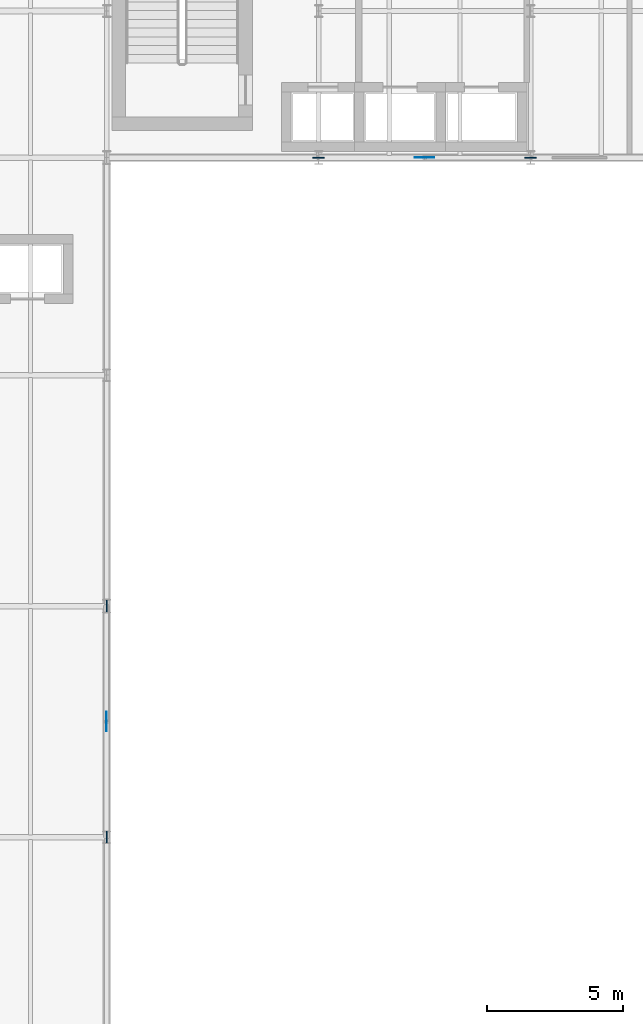
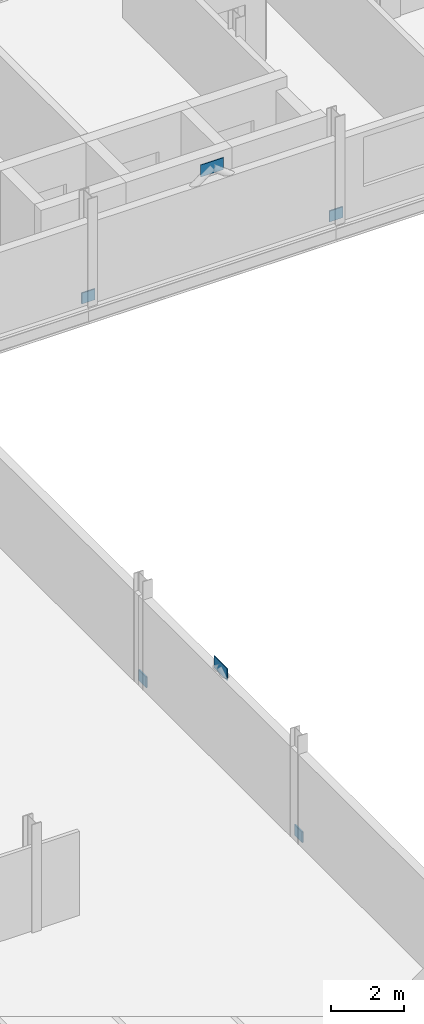
# One storey, part 16 of 34: 6 plates.
"""IFC4 building model written with IfcOpenShell, lengths in metres."""

from ifc_helpers import new_model, si_unit, direction, frame, origin, origin_2d, place, context, subcontext, project, spatial, rectangle, extrude, material, layer, layer_set, type_object, element, save


model = new_model("IFC4")

# Units and contexts
model_context = context("Model", 3, precision=1e-05, world=origin(), true_north=direction((0.0, 1.0)))
body_context = subcontext(model_context, "Body", "Model", "MODEL_VIEW")
ifc_project = project(units=[si_unit("LENGTHUNIT", "METRE"), si_unit("AREAUNIT", "SQUARE_METRE"), si_unit("VOLUMEUNIT", "CUBIC_METRE"), si_unit("PLANEANGLEUNIT", "RADIAN"), si_unit("MASSUNIT", "GRAM", prefix="KILO")], contexts=[model_context])

# Site, building, storey
site_placement = place(None, origin())
site = spatial("IfcSite", under=ifc_project, at=site_placement, CompositionType="ELEMENT")
building_placement = place(site_placement, origin())
building = spatial("IfcBuilding", under=site, at=building_placement, Name="Sefraquen Railside Congress Hotel", CompositionType="ELEMENT")
storey_placement = place(building_placement, frame((0.0, 0.0, 31.800048828125)))
storey = spatial("IfcBuildingStorey", under=building, at=storey_placement, Name="L07", CompositionType="ELEMENT", Elevation=31.800048828125)

# Plates
ifc_material = material(Name="Steel S355J2", Category="steel")
ifc_layer_1 = layer(ifc_material, 0.02001953125)
ifc_layer_set_1 = layer_set([ifc_layer_1], Name="Steel S355J2")
plate_type_1 = type_object("IfcPlateType", Name="TP-GUS-01", PredefinedType="SHEET", material=ifc_layer_set_1)
for number, where, z_axis, x_axis, name in (
    (1, (36.89990234375, 96.0, 2.909912109375), (0.0, 0.0, 1.0), (1.0, 0.0, 0.0), "Chevron braced-frame apex gusset plate BF1 L07"),
    (2, (25.199951171875, 75.25, 2.909912109375), (0.0, 0.0, 1.0), (0.0, 1.0, 0.0), "Chevron braced-frame apex gusset plate BF2 L07"),
):
    element("IfcPlate", number, at=place(storey_placement, frame(where, z_axis=z_axis, x_axis=x_axis)), inside=storey, type_object=plate_type_1, Name=name, PredefinedType="SHEET", context=body_context, shape_type="SweptSolid", body=[
        extrude(rectangle(XDim=0.719970703125, YDim=0.02001953125, at=origin_2d()), origin(), (0.0, 0.0, 1.0), 0.39990234375),
    ])
ifc_layer_2 = layer(ifc_material, 0.0400390625)
ifc_layer_set_2 = layer_set([ifc_layer_2], Name="Steel S355J2")
plate_type_2 = type_object("IfcPlateType", Name="TP-GUS-02", PredefinedType="SHEET", material=ifc_layer_set_2)
for number, where, z_axis, x_axis, name in (
    (3, (33.0, 96.0, 0.0), (0.0, 0.0, 1.0), (1.0, 0.0, 0.0), "Chevron braced-frame base gusset plate BF1-L L07"),
    (4, (40.800048828125, 96.0, 0.0), (0.0, 0.0, 1.0), (1.0, 0.0, 0.0), "Chevron braced-frame base gusset plate BF1-R L07"),
    (5, (25.199951171875, 71.0, 0.0), (0.0, 0.0, 1.0), (0.0, 1.0, 0.0), "Chevron braced-frame base gusset plate BF2-L L07"),
    (6, (25.199951171875, 79.5, 0.0), (0.0, 0.0, 1.0), (0.0, 1.0, 0.0), "Chevron braced-frame base gusset plate BF2-R L07"),
):
    element("IfcPlate", number, at=place(storey_placement, frame(where, z_axis=z_axis, x_axis=x_axis)), inside=storey, type_object=plate_type_2, Name=name, PredefinedType="SHEET", context=body_context, shape_type="SweptSolid", body=[
        extrude(rectangle(XDim=0.419921875, YDim=0.0400390625, at=origin_2d()), origin(), (0.0, 0.0, 1.0), 0.360107421875),
    ])

save(model, "model.ifc")
